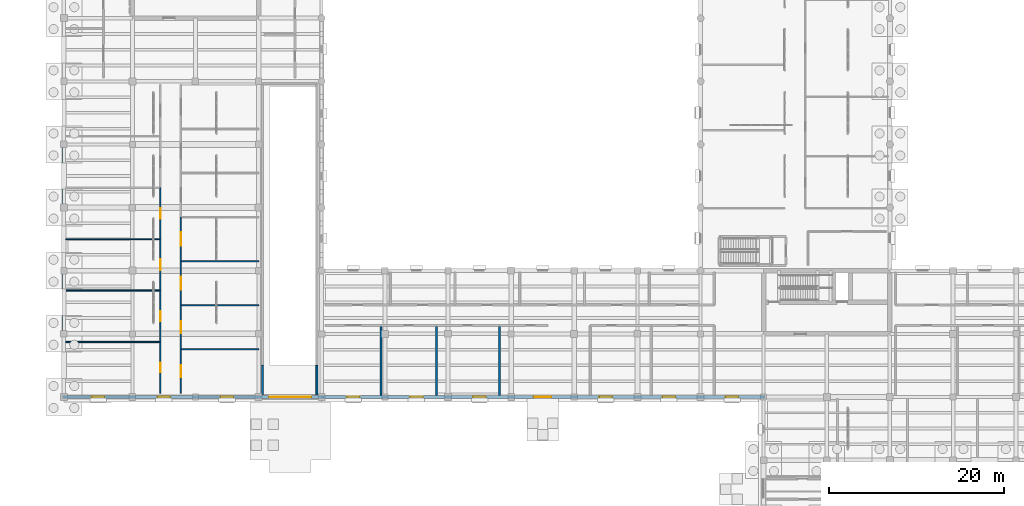
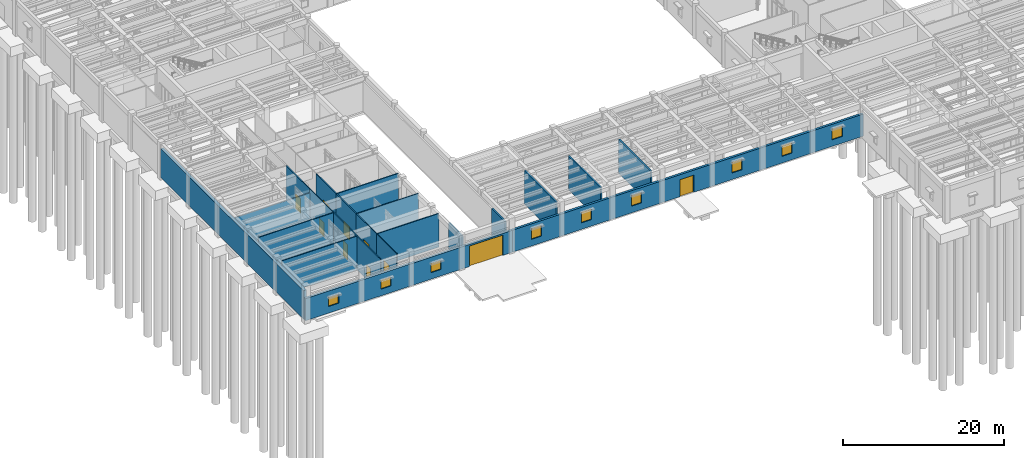
# One storey, part 67 of 100: 22 walls, 10 doors, 9 windows, 19 openings.
"""IFC4 building model written with IfcOpenShell, lengths in metres."""

from ifc_helpers import new_model, si_unit, direction, frame, frame_2d, origin, place, context, subcontext, project, spatial, rectangle, extrude, material, layer, layer_set, type_object, element, fill, save


model = new_model("IFC4")

# Units and contexts
model_context = context("Model", 3, precision=1e-05, world=origin(), true_north=direction((0.0, 1.0)))
body_context = subcontext(model_context, "Body", "Model", "MODEL_VIEW")
ifc_project = project(units=[si_unit("LENGTHUNIT", "METRE"), si_unit("AREAUNIT", "SQUARE_METRE"), si_unit("VOLUMEUNIT", "CUBIC_METRE"), si_unit("PLANEANGLEUNIT", "RADIAN"), si_unit("MASSUNIT", "GRAM", prefix="KILO")], contexts=[model_context])

# Site, building, storey
site_placement = place(None, origin())
site = spatial("IfcSite", under=ifc_project, at=site_placement, CompositionType="ELEMENT")
building_placement = place(site_placement, origin())
building = spatial("IfcBuilding", under=site, at=building_placement, Name="Mithqara Police Headquarters", CompositionType="ELEMENT")
storey_placement = place(building_placement, origin())
storey = spatial("IfcBuildingStorey", under=building, at=storey_placement, Name="L00", CompositionType="ELEMENT", Elevation=0.0)

# Wall, openings, door, windows
ifc_material_1 = material(Name="Limestone ashlar masonry, 45 MPa", Category="masonry")
ifc_layer_1 = layer(ifc_material_1, 0.320068359375, Name="Limestone ashlar masonry, 45 MPa")
ifc_layer_set_1 = layer_set([ifc_layer_1], Name="Limestone ashlar masonry, 45 MPa")
wall_type_1 = type_object("IfcWallType", Name="EXT WALL LIMESTONE320", PredefinedType="SOLIDWALL", material=ifc_layer_set_1)
wall_1_placement = place(storey_placement, frame((-0.159912109375, 21.0, 0.0), z_axis=(0.0, 0.0, 1.0), x_axis=(1.0, 0.0, 0.0)))
wall_1 = element("IfcWall", 1, at=wall_1_placement, inside=storey, type_object=wall_type_1, Name="L00 Exterior Wall 17.1", PredefinedType="SOLIDWALL", context=body_context, shape_type="SweptSolid", body=[
    extrude(rectangle(XDim=29.719970703125, YDim=0.320068359375, at=frame_2d((14.85986328125, 0.0))), origin(), (0.0, 0.0, 1.0), 3.35009765625),
])
opening_1_placement = place(wall_1_placement, frame((23.56005859375, 0.0, 0.0)))
opening_1 = element("IfcOpeningElement", 2, at=opening_1_placement, cuts=wall_1, Name="Opening VG-01", PredefinedType="OPENING", context=body_context, shape_type="SweptSolid", body=[
    extrude(rectangle(XDim=4.800048828125, YDim=3.10009765625, at=frame_2d((2.39990234375, 1.550048828125))), frame((0.0, 0.169921875, 0.0), z_axis=(0.0, -1.0, 0.0), x_axis=(1.0, 0.0, 0.0)), (0.0, 0.0, 1.0), 0.340087890625),
])
opening_2_placement = place(wall_1_placement, frame((3.3349609375, 0.0, 1.0)))
opening_2 = element("IfcOpeningElement", 3, at=opening_2_placement, cuts=wall_1, Name="Opening W-21", PredefinedType="OPENING", context=body_context, shape_type="SweptSolid", body=[
    extrude(rectangle(XDim=1.449951171875, YDim=1.39990234375, at=frame_2d((0.72509765625, 0.699951171875))), frame((0.0, 0.169921875, 0.0), z_axis=(0.0, -1.0, 0.0), x_axis=(1.0, 0.0, 0.0)), (0.0, 0.0, 1.0), 0.340087890625),
])
opening_3_placement = place(wall_1_placement, frame((10.8349609375, 0.0, 1.0)))
opening_3 = element("IfcOpeningElement", 4, at=opening_3_placement, cuts=wall_1, Name="Opening W-21", PredefinedType="OPENING", context=body_context, shape_type="SweptSolid", body=[
    extrude(rectangle(XDim=1.449951171875, YDim=1.39990234375, at=frame_2d((0.72509765625, 0.699951171875))), frame((0.0, 0.169921875, 0.0), z_axis=(0.0, -1.0, 0.0), x_axis=(1.0, 0.0, 0.0)), (0.0, 0.0, 1.0), 0.340087890625),
])
opening_4_placement = place(wall_1_placement, frame((18.034912109375, 0.0, 1.0)))
opening_4 = element("IfcOpeningElement", 5, at=opening_4_placement, cuts=wall_1, Name="Opening W-21", PredefinedType="OPENING", context=body_context, shape_type="SweptSolid", body=[
    extrude(rectangle(XDim=1.449951171875, YDim=1.39990234375, at=frame_2d((0.72509765625, 0.699951171875))), frame((0.0, 0.169921875, 0.0), z_axis=(0.0, -1.0, 0.0), x_axis=(1.0, 0.0, 0.0)), (0.0, 0.0, 1.0), 0.340087890625),
])
ifc_material_2 = material(Name="Steel S355JR", Category="steel")
door_type_1 = type_object("IfcDoorType", Name="VEH GATE RAMP 4800X3600", OperationType="ROLLINGUP", PredefinedType="GATE", material=ifc_material_2)
door_1_placement = place(opening_1_placement, frame((4.800048828125, 0.0, 0.0), z_axis=(0.0, 0.0, 1.0), x_axis=(-1.0, 0.0, 0.0)))
door_1 = element("IfcDoor", 6, at=door_1_placement, inside=storey, type_object=door_type_1, Name="VG-01 Patrol Fleet Ramp Roller Shutter Gate", OperationType="ROLLINGUP", OverallHeight=3.10009765625, OverallWidth=4.800048828125, PredefinedType="GATE", context=body_context, shape_type="SweptSolid", body=[
    extrude(rectangle(XDim=4.800048828125, YDim=3.10009765625, at=frame_2d((2.39990234375, 1.550048828125))), frame((0.0, 0.02490234375, 0.0), z_axis=(0.0, -1.0, 0.0), x_axis=(1.0, 0.0, 0.0)), (0.0, 0.0, 1.0), 0.050048828125),
])
fill(opening_1, door_1)
ifc_material_3 = material(Name="Spectrally selective double low-e glass", Category="glass")
window_type_1 = type_object("IfcWindowType", Name="WINDOW 1450X1400", PartitioningType="SINGLE_PANEL", PredefinedType="WINDOW", material=ifc_material_3)
window_1_placement = place(opening_2_placement, origin())
window_1 = element("IfcWindow", 7, at=window_1_placement, inside=storey, type_object=window_type_1, Name="L00 Deep-Set Punched Window 17.1", OverallHeight=1.39990234375, OverallWidth=1.449951171875, PartitioningType="SINGLE_PANEL", PredefinedType="WINDOW", context=body_context, shape_type="SweptSolid", body=[
    extrude(rectangle(XDim=1.449951171875, YDim=1.39990234375, at=frame_2d((0.72509765625, 0.699951171875))), frame((0.0, 0.030029296875, 0.0), z_axis=(0.0, -1.0, 0.0), x_axis=(1.0, 0.0, 0.0)), (0.0, 0.0, 1.0), 0.06005859375),
])
fill(opening_2, window_1)
window_2_placement = place(opening_3_placement, origin())
window_2 = element("IfcWindow", 8, at=window_2_placement, inside=storey, type_object=window_type_1, Name="L00 Deep-Set Punched Window 17.2", OverallHeight=1.39990234375, OverallWidth=1.449951171875, PartitioningType="SINGLE_PANEL", PredefinedType="WINDOW", context=body_context, shape_type="SweptSolid", body=[
    extrude(rectangle(XDim=1.449951171875, YDim=1.39990234375, at=frame_2d((0.72509765625, 0.699951171875))), frame((0.0, 0.030029296875, 0.0), z_axis=(0.0, -1.0, 0.0), x_axis=(1.0, 0.0, 0.0)), (0.0, 0.0, 1.0), 0.06005859375),
])
fill(opening_3, window_2)
window_3_placement = place(opening_4_placement, origin())
window_3 = element("IfcWindow", 9, at=window_3_placement, inside=storey, type_object=window_type_1, Name="L00 Deep-Set Punched Window 17.3", OverallHeight=1.39990234375, OverallWidth=1.449951171875, PartitioningType="SINGLE_PANEL", PredefinedType="WINDOW", context=body_context, shape_type="SweptSolid", body=[
    extrude(rectangle(XDim=1.449951171875, YDim=1.39990234375, at=frame_2d((0.72509765625, 0.699951171875))), frame((0.0, 0.030029296875, 0.0), z_axis=(0.0, -1.0, 0.0), x_axis=(1.0, 0.0, 0.0)), (0.0, 0.0, 1.0), 0.06005859375),
])
fill(opening_4, window_3)

wall_2_placement = place(storey_placement, frame((29.239990234375, 21.0, 0.0), z_axis=(0.0, 0.0, 1.0), x_axis=(1.0, 0.0, 0.0)))
wall_2 = element("IfcWall", 10, at=wall_2_placement, inside=storey, type_object=wall_type_1, Name="L00 Exterior Wall 18.1", PredefinedType="SOLIDWALL", context=body_context, shape_type="SweptSolid", body=[
    extrude(rectangle(XDim=50.719970703125, YDim=0.320068359375, at=frame_2d((25.35986328125, 0.0))), origin(), (0.0, 0.0, 1.0), 3.35009765625),
])
opening_5_placement = place(wall_2_placement, frame((24.360107421875, 0.0, 0.0)))
opening_5 = element("IfcOpeningElement", 11, at=opening_5_placement, cuts=wall_2, Name="Opening ED-02", PredefinedType="OPENING", context=body_context, shape_type="SweptSolid", body=[
    extrude(rectangle(XDim=2.0, YDim=2.60009765625, at=frame_2d((1.0, 1.300048828125))), frame((0.0, 0.169921875, 0.0), z_axis=(0.0, -1.0, 0.0), x_axis=(1.0, 0.0, 0.0)), (0.0, 0.0, 1.0), 0.340087890625),
])
opening_6_placement = place(wall_2_placement, frame((3.034912109375, 0.0, 1.0)))
opening_6 = element("IfcOpeningElement", 12, at=opening_6_placement, cuts=wall_2, Name="Opening W-22", PredefinedType="OPENING", context=body_context, shape_type="SweptSolid", body=[
    extrude(rectangle(XDim=1.449951171875, YDim=1.64990234375, at=frame_2d((0.72509765625, 0.824951171875))), frame((0.0, 0.169921875, 0.0), z_axis=(0.0, -1.0, 0.0), x_axis=(1.0, 0.0, 0.0)), (0.0, 0.0, 1.0), 0.340087890625),
])
opening_7_placement = place(wall_2_placement, frame((10.235107421875, 0.0, 1.0)))
opening_7 = element("IfcOpeningElement", 13, at=opening_7_placement, cuts=wall_2, Name="Opening W-22", PredefinedType="OPENING", context=body_context, shape_type="SweptSolid", body=[
    extrude(rectangle(XDim=1.449951171875, YDim=1.64990234375, at=frame_2d((0.72509765625, 0.824951171875))), frame((0.0, 0.169921875, 0.0), z_axis=(0.0, -1.0, 0.0), x_axis=(1.0, 0.0, 0.0)), (0.0, 0.0, 1.0), 0.340087890625),
])
opening_8_placement = place(wall_2_placement, frame((17.43505859375, 0.0, 1.0)))
opening_8 = element("IfcOpeningElement", 14, at=opening_8_placement, cuts=wall_2, Name="Opening W-22", PredefinedType="OPENING", context=body_context, shape_type="SweptSolid", body=[
    extrude(rectangle(XDim=1.449951171875, YDim=1.64990234375, at=frame_2d((0.72509765625, 0.824951171875))), frame((0.0, 0.169921875, 0.0), z_axis=(0.0, -1.0, 0.0), x_axis=(1.0, 0.0, 0.0)), (0.0, 0.0, 1.0), 0.340087890625),
])
opening_9_placement = place(wall_2_placement, frame((31.8349609375, 0.0, 1.0)))
opening_9 = element("IfcOpeningElement", 15, at=opening_9_placement, cuts=wall_2, Name="Opening W-22", PredefinedType="OPENING", context=body_context, shape_type="SweptSolid", body=[
    extrude(rectangle(XDim=1.449951171875, YDim=1.64990234375, at=frame_2d((0.72509765625, 0.824951171875))), frame((0.0, 0.169921875, 0.0), z_axis=(0.0, -1.0, 0.0), x_axis=(1.0, 0.0, 0.0)), (0.0, 0.0, 1.0), 0.340087890625),
])
opening_10_placement = place(wall_2_placement, frame((39.034912109375, 0.0, 1.0)))
opening_10 = element("IfcOpeningElement", 16, at=opening_10_placement, cuts=wall_2, Name="Opening W-22", PredefinedType="OPENING", context=body_context, shape_type="SweptSolid", body=[
    extrude(rectangle(XDim=1.449951171875, YDim=1.64990234375, at=frame_2d((0.72509765625, 0.824951171875))), frame((0.0, 0.169921875, 0.0), z_axis=(0.0, -1.0, 0.0), x_axis=(1.0, 0.0, 0.0)), (0.0, 0.0, 1.0), 0.340087890625),
])
opening_11_placement = place(wall_2_placement, frame((46.235107421875, 0.0, 1.0)))
opening_11 = element("IfcOpeningElement", 17, at=opening_11_placement, cuts=wall_2, Name="Opening W-22", PredefinedType="OPENING", context=body_context, shape_type="SweptSolid", body=[
    extrude(rectangle(XDim=1.449951171875, YDim=1.64990234375, at=frame_2d((0.72509765625, 0.824951171875))), frame((0.0, 0.169921875, 0.0), z_axis=(0.0, -1.0, 0.0), x_axis=(1.0, 0.0, 0.0)), (0.0, 0.0, 1.0), 0.340087890625),
])
ifc_material_4 = material(Name="Bronze anodised aluminium 6063-T6", Category="aluminium")
door_type_2 = type_object("IfcDoorType", Name="EXT DOOR MAIN 2000X2600", OperationType="DOUBLE_DOOR_SINGLE_SWING", PredefinedType="DOOR", material=ifc_material_4)
door_2_placement = place(opening_5_placement, frame((2.0, 0.0, 0.0), z_axis=(0.0, 0.0, 1.0), x_axis=(-1.0, 0.0, 0.0)))
door_2 = element("IfcDoor", 18, at=door_2_placement, inside=storey, type_object=door_type_2, Name="Ground Floor Final Exit Door 9", OperationType="DOUBLE_DOOR_SINGLE_SWING", OverallHeight=2.60009765625, OverallWidth=2.0, PredefinedType="DOOR", context=body_context, shape_type="SweptSolid", body=[
    extrude(rectangle(XDim=2.0, YDim=2.60009765625, at=frame_2d((1.0, 1.300048828125))), frame((0.0, 0.02490234375, 0.0), z_axis=(0.0, -1.0, 0.0), x_axis=(1.0, 0.0, 0.0)), (0.0, 0.0, 1.0), 0.050048828125),
])
fill(opening_5, door_2)
window_type_2 = type_object("IfcWindowType", Name="WINDOW 1450X1650", PartitioningType="SINGLE_PANEL", PredefinedType="WINDOW", material=ifc_material_3)
window_4_placement = place(opening_6_placement, origin())
window_4 = element("IfcWindow", 19, at=window_4_placement, inside=storey, type_object=window_type_2, Name="L00 Deep-Set Punched Window 18.1", OverallHeight=1.64990234375, OverallWidth=1.449951171875, PartitioningType="SINGLE_PANEL", PredefinedType="WINDOW", context=body_context, shape_type="SweptSolid", body=[
    extrude(rectangle(XDim=1.449951171875, YDim=1.64990234375, at=frame_2d((0.72509765625, 0.824951171875))), frame((0.0, 0.030029296875, 0.0), z_axis=(0.0, -1.0, 0.0), x_axis=(1.0, 0.0, 0.0)), (0.0, 0.0, 1.0), 0.06005859375),
])
fill(opening_6, window_4)
window_5_placement = place(opening_7_placement, origin())
window_5 = element("IfcWindow", 20, at=window_5_placement, inside=storey, type_object=window_type_2, Name="L00 Deep-Set Punched Window 18.2", OverallHeight=1.64990234375, OverallWidth=1.449951171875, PartitioningType="SINGLE_PANEL", PredefinedType="WINDOW", context=body_context, shape_type="SweptSolid", body=[
    extrude(rectangle(XDim=1.449951171875, YDim=1.64990234375, at=frame_2d((0.72509765625, 0.824951171875))), frame((0.0, 0.030029296875, 0.0), z_axis=(0.0, -1.0, 0.0), x_axis=(1.0, 0.0, 0.0)), (0.0, 0.0, 1.0), 0.06005859375),
])
fill(opening_7, window_5)
window_6_placement = place(opening_8_placement, origin())
window_6 = element("IfcWindow", 21, at=window_6_placement, inside=storey, type_object=window_type_2, Name="L00 Deep-Set Punched Window 18.3", OverallHeight=1.64990234375, OverallWidth=1.449951171875, PartitioningType="SINGLE_PANEL", PredefinedType="WINDOW", context=body_context, shape_type="SweptSolid", body=[
    extrude(rectangle(XDim=1.449951171875, YDim=1.64990234375, at=frame_2d((0.72509765625, 0.824951171875))), frame((0.0, 0.030029296875, 0.0), z_axis=(0.0, -1.0, 0.0), x_axis=(1.0, 0.0, 0.0)), (0.0, 0.0, 1.0), 0.06005859375),
])
fill(opening_8, window_6)
window_7_placement = place(opening_9_placement, origin())
window_7 = element("IfcWindow", 22, at=window_7_placement, inside=storey, type_object=window_type_2, Name="L00 Deep-Set Punched Window 18.5", OverallHeight=1.64990234375, OverallWidth=1.449951171875, PartitioningType="SINGLE_PANEL", PredefinedType="WINDOW", context=body_context, shape_type="SweptSolid", body=[
    extrude(rectangle(XDim=1.449951171875, YDim=1.64990234375, at=frame_2d((0.72509765625, 0.824951171875))), frame((0.0, 0.030029296875, 0.0), z_axis=(0.0, -1.0, 0.0), x_axis=(1.0, 0.0, 0.0)), (0.0, 0.0, 1.0), 0.06005859375),
])
fill(opening_9, window_7)
window_8_placement = place(opening_10_placement, origin())
window_8 = element("IfcWindow", 23, at=window_8_placement, inside=storey, type_object=window_type_2, Name="L00 Deep-Set Punched Window 18.6", OverallHeight=1.64990234375, OverallWidth=1.449951171875, PartitioningType="SINGLE_PANEL", PredefinedType="WINDOW", context=body_context, shape_type="SweptSolid", body=[
    extrude(rectangle(XDim=1.449951171875, YDim=1.64990234375, at=frame_2d((0.72509765625, 0.824951171875))), frame((0.0, 0.030029296875, 0.0), z_axis=(0.0, -1.0, 0.0), x_axis=(1.0, 0.0, 0.0)), (0.0, 0.0, 1.0), 0.06005859375),
])
fill(opening_10, window_8)
window_9_placement = place(opening_11_placement, origin())
window_9 = element("IfcWindow", 24, at=window_9_placement, inside=storey, type_object=window_type_2, Name="L00 Deep-Set Punched Window 18.7", OverallHeight=1.64990234375, OverallWidth=1.449951171875, PartitioningType="SINGLE_PANEL", PredefinedType="WINDOW", context=body_context, shape_type="SweptSolid", body=[
    extrude(rectangle(XDim=1.449951171875, YDim=1.64990234375, at=frame_2d((0.72509765625, 0.824951171875))), frame((0.0, 0.030029296875, 0.0), z_axis=(0.0, -1.0, 0.0), x_axis=(1.0, 0.0, 0.0)), (0.0, 0.0, 1.0), 0.06005859375),
])
fill(opening_11, window_9)

# Wall, opening, door
ifc_material_5 = material(Name="Gypsum acoustic stud partition", Category="gypsum")
ifc_layer_2 = layer(ifc_material_5, 0.139892578125, Name="Gypsum acoustic stud partition")
ifc_layer_set_2 = layer_set([ifc_layer_2], Name="Gypsum acoustic stud partition")
wall_type_2 = type_object("IfcWallType", Name="PART WALL 140", PredefinedType="PARTITIONING", material=ifc_layer_set_2)
wall_3_placement = place(storey_placement, frame((10.989990234375, 21.419921875, 0.0), z_axis=(0.0, 0.0, 1.0), x_axis=(0.0, 1.0, 0.0)))
wall_3 = element("IfcWall", 25, at=wall_3_placement, inside=storey, type_object=wall_type_2, Name="L00 Corridor Wall Tactical Equipment Room", PredefinedType="PARTITIONING", context=body_context, shape_type="SweptSolid", body=[
    extrude(rectangle(XDim=5.860107421875, YDim=0.139892578125, at=frame_2d((2.93017578125, 0.0))), origin(), (0.0, 0.0, 1.0), 5.1201171875),
])
opening_12_placement = place(wall_3_placement, frame((2.3798828125, 0.0, 0.0)))
opening_12 = element("IfcOpeningElement", 26, at=opening_12_placement, cuts=wall_3, Name="Opening D-11", PredefinedType="OPENING", context=body_context, shape_type="SweptSolid", body=[
    extrude(rectangle(XDim=1.10009765625, YDim=2.219970703125, at=frame_2d((0.550048828125, 1.10986328125))), frame((0.0, 0.080078125, 0.0), z_axis=(0.0, -1.0, 0.0), x_axis=(1.0, 0.0, 0.0)), (0.0, 0.0, 1.0), 0.159912109375),
])
ifc_material_6 = material(Name="Acoustic solid-core timber leaf", Category="wood")
door_type_3 = type_object("IfcDoorType", Name="INT DOOR 1100X2220", OperationType="NOTDEFINED", PredefinedType="DOOR", material=ifc_material_6)
door_3_placement = place(opening_12_placement, frame((1.10009765625, 0.0, 0.0), z_axis=(0.0, 0.0, 1.0), x_axis=(-1.0, 0.0, 0.0)))
door_3 = element("IfcDoor", 27, at=door_3_placement, inside=storey, type_object=door_type_3, Name="Tactical Equipment Room Entry Door", OperationType="SINGLE_SWING_RIGHT", OverallHeight=2.219970703125, OverallWidth=1.10009765625, PredefinedType="DOOR", context=body_context, shape_type="SweptSolid", body=[
    extrude(rectangle(XDim=1.10009765625, YDim=2.219970703125, at=frame_2d((0.550048828125, 1.10986328125))), frame((0.0, 0.02490234375, 0.0), z_axis=(0.0, -1.0, 0.0), x_axis=(1.0, 0.0, 0.0)), (0.0, 0.0, 1.0), 0.050048828125),
])
fill(opening_12, door_3)

# Wall
wall_4_placement = place(storey_placement, frame((0.179931640625, 27.280029296875, 0.0), z_axis=(0.0, 0.0, 1.0), x_axis=(1.0, 0.0, 0.0)))
element("IfcWall", 28, at=wall_4_placement, inside=storey, type_object=wall_type_2, Name="L00 Room Partition Tactical Equipment Room", PredefinedType="PARTITIONING", context=body_context, shape_type="SweptSolid", body=[
    extrude(rectangle(XDim=10.81005859375, YDim=0.139892578125, at=frame_2d((5.405029296875, 0.0))), origin(), (0.0, 0.0, 1.0), 5.1201171875),
])

# Wall, opening, door
wall_5_placement = place(storey_placement, frame((10.989990234375, 27.280029296875, 0.0), z_axis=(0.0, 0.0, 1.0), x_axis=(0.0, 1.0, 0.0)))
wall_5 = element("IfcWall", 29, at=wall_5_placement, inside=storey, type_object=wall_type_2, Name="L00 Corridor Wall K9 Handler Readiness Room", PredefinedType="PARTITIONING", context=body_context, shape_type="SweptSolid", body=[
    extrude(rectangle(XDim=5.85986328125, YDim=0.139892578125, at=frame_2d((2.929931640625, 0.0))), origin(), (0.0, 0.0, 1.0), 5.1201171875),
])
opening_13_placement = place(wall_5_placement, frame((2.3798828125, 0.0, 0.0)))
opening_13 = element("IfcOpeningElement", 30, at=opening_13_placement, cuts=wall_5, Name="Opening D-12", PredefinedType="OPENING", context=body_context, shape_type="SweptSolid", body=[
    extrude(rectangle(XDim=1.10009765625, YDim=2.35009765625, at=frame_2d((0.550048828125, 1.175048828125))), frame((0.0, 0.080078125, 0.0), z_axis=(0.0, -1.0, 0.0), x_axis=(1.0, 0.0, 0.0)), (0.0, 0.0, 1.0), 0.159912109375),
])
door_type_4 = type_object("IfcDoorType", Name="INT DOOR 1100X2350", OperationType="NOTDEFINED", PredefinedType="DOOR", material=ifc_material_6)
door_4_placement = place(opening_13_placement, frame((1.10009765625, 0.0, 0.0), z_axis=(0.0, 0.0, 1.0), x_axis=(-1.0, 0.0, 0.0)))
door_4 = element("IfcDoor", 31, at=door_4_placement, inside=storey, type_object=door_type_4, Name="K9 Handler Readiness Room Entry Door", OperationType="SINGLE_SWING_LEFT", OverallHeight=2.35009765625, OverallWidth=1.10009765625, PredefinedType="DOOR", context=body_context, shape_type="SweptSolid", body=[
    extrude(rectangle(XDim=1.10009765625, YDim=2.35009765625, at=frame_2d((0.550048828125, 1.175048828125))), frame((0.0, 0.02490234375, 0.0), z_axis=(0.0, -1.0, 0.0), x_axis=(1.0, 0.0, 0.0)), (0.0, 0.0, 1.0), 0.050048828125),
])
fill(opening_13, door_4)

# Wall
wall_6_placement = place(storey_placement, frame((0.179931640625, 33.139892578125, 0.0), z_axis=(0.0, 0.0, 1.0), x_axis=(1.0, 0.0, 0.0)))
element("IfcWall", 32, at=wall_6_placement, inside=storey, type_object=wall_type_2, Name="L00 Room Partition K9 Handler Readiness Room", PredefinedType="PARTITIONING", context=body_context, shape_type="SweptSolid", body=[
    extrude(rectangle(XDim=10.81005859375, YDim=0.139892578125, at=frame_2d((5.405029296875, 0.0))), origin(), (0.0, 0.0, 1.0), 5.1201171875),
])

# Wall, opening, door
wall_7_placement = place(storey_placement, frame((10.989990234375, 33.139892578125, 0.0), z_axis=(0.0, 0.0, 1.0), x_axis=(0.0, 1.0, 0.0)))
wall_7 = element("IfcWall", 33, at=wall_7_placement, inside=storey, type_object=wall_type_2, Name="L00 Corridor Wall First Aid Treatment Room", PredefinedType="PARTITIONING", context=body_context, shape_type="SweptSolid", body=[
    extrude(rectangle(XDim=5.860107421875, YDim=0.139892578125, at=frame_2d((2.93017578125, 0.0))), origin(), (0.0, 0.0, 1.0), 5.1201171875),
])
opening_14_placement = place(wall_7_placement, frame((2.320068359375, 0.0, 0.0)))
opening_14 = element("IfcOpeningElement", 34, at=opening_14_placement, cuts=wall_7, Name="Opening D-13", PredefinedType="OPENING", context=body_context, shape_type="SweptSolid", body=[
    extrude(rectangle(XDim=1.219970703125, YDim=2.10009765625, at=frame_2d((0.60986328125, 1.050048828125))), frame((0.0, 0.080078125, 0.0), z_axis=(0.0, -1.0, 0.0), x_axis=(1.0, 0.0, 0.0)), (0.0, 0.0, 1.0), 0.159912109375),
])
door_type_5 = type_object("IfcDoorType", Name="INT DOOR 1220X2100", OperationType="NOTDEFINED", PredefinedType="DOOR", material=ifc_material_6)
door_5_placement = place(opening_14_placement, frame((1.219970703125, 0.0, 0.0), z_axis=(0.0, 0.0, 1.0), x_axis=(-1.0, 0.0, 0.0)))
door_5 = element("IfcDoor", 35, at=door_5_placement, inside=storey, type_object=door_type_5, Name="First Aid Treatment Room Entry Door", OperationType="SINGLE_SWING_RIGHT", OverallHeight=2.10009765625, OverallWidth=1.219970703125, PredefinedType="DOOR", context=body_context, shape_type="SweptSolid", body=[
    extrude(rectangle(XDim=1.219970703125, YDim=2.10009765625, at=frame_2d((0.60986328125, 1.050048828125))), frame((0.0, 0.02490234375, 0.0), z_axis=(0.0, -1.0, 0.0), x_axis=(1.0, 0.0, 0.0)), (0.0, 0.0, 1.0), 0.050048828125),
])
fill(opening_14, door_5)

# Wall
wall_8_placement = place(storey_placement, frame((0.179931640625, 39.0, 0.0), z_axis=(0.0, 0.0, 1.0), x_axis=(1.0, 0.0, 0.0)))
element("IfcWall", 36, at=wall_8_placement, inside=storey, type_object=wall_type_2, Name="L00 Room Partition First Aid Treatment Room", PredefinedType="PARTITIONING", context=body_context, shape_type="SweptSolid", body=[
    extrude(rectangle(XDim=10.81005859375, YDim=0.139892578125, at=frame_2d((5.405029296875, 0.0))), origin(), (0.0, 0.0, 1.0), 4.570068359375),
])

# Wall, opening, door
wall_9_placement = place(storey_placement, frame((10.989990234375, 39.0, 0.0), z_axis=(0.0, 0.0, 1.0), x_axis=(0.0, 1.0, 0.0)))
wall_9 = element("IfcWall", 37, at=wall_9_placement, inside=storey, type_object=wall_type_2, Name="L00 Corridor Wall Tactical Equipment Room", PredefinedType="PARTITIONING", context=body_context, shape_type="SweptSolid", body=[
    extrude(rectangle(XDim=5.860107421875, YDim=0.139892578125, at=frame_2d((2.93017578125, 0.0))), origin(), (0.0, 0.0, 1.0), 5.1201171875),
])
opening_15_placement = place(wall_9_placement, frame((2.320068359375, 0.0, 0.0)))
opening_15 = element("IfcOpeningElement", 38, at=opening_15_placement, cuts=wall_9, Name="Opening D-14", PredefinedType="OPENING", context=body_context, shape_type="SweptSolid", body=[
    extrude(rectangle(XDim=1.219970703125, YDim=2.219970703125, at=frame_2d((0.60986328125, 1.10986328125))), frame((0.0, 0.080078125, 0.0), z_axis=(0.0, -1.0, 0.0), x_axis=(1.0, 0.0, 0.0)), (0.0, 0.0, 1.0), 0.159912109375),
])
door_type_6 = type_object("IfcDoorType", Name="INT DOOR 1220X2220", OperationType="NOTDEFINED", PredefinedType="DOOR", material=ifc_material_6)
door_6_placement = place(opening_15_placement, frame((1.219970703125, 0.0, 0.0), z_axis=(0.0, 0.0, 1.0), x_axis=(-1.0, 0.0, 0.0)))
door_6 = element("IfcDoor", 39, at=door_6_placement, inside=storey, type_object=door_type_6, Name="Tactical Equipment Room Entry Door", OperationType="SINGLE_SWING_LEFT", OverallHeight=2.219970703125, OverallWidth=1.219970703125, PredefinedType="DOOR", context=body_context, shape_type="SweptSolid", body=[
    extrude(rectangle(XDim=1.219970703125, YDim=2.219970703125, at=frame_2d((0.60986328125, 1.10986328125))), frame((0.0, 0.02490234375, 0.0), z_axis=(0.0, -1.0, 0.0), x_axis=(1.0, 0.0, 0.0)), (0.0, 0.0, 1.0), 0.050048828125),
])
fill(opening_15, door_6)

wall_10_placement = place(storey_placement, frame((13.330078125, 21.419921875, 0.0), z_axis=(0.0, 0.0, 1.0), x_axis=(0.0, 1.0, 0.0)))
wall_10 = element("IfcWall", 40, at=wall_10_placement, inside=storey, type_object=wall_type_2, Name="L00 Corridor Wall Tactical Equipment Room", PredefinedType="PARTITIONING", context=body_context, shape_type="SweptSolid", body=[
    extrude(rectangle(XDim=5.023193359375, YDim=0.139892578125, at=frame_2d((2.51171875, 0.0))), origin(), (0.0, 0.0, 1.0), 5.1201171875),
])
opening_16_placement = place(wall_10_placement, frame((1.83154296875, 0.0, 0.0)))
opening_16 = element("IfcOpeningElement", 41, at=opening_16_placement, cuts=wall_10, Name="Opening D-17", PredefinedType="OPENING", context=body_context, shape_type="SweptSolid", body=[
    extrude(rectangle(XDim=1.360107421875, YDim=2.219970703125, at=frame_2d((0.68017578125, 1.10986328125))), frame((0.0, 0.080078125, 0.0), z_axis=(0.0, -1.0, 0.0), x_axis=(1.0, 0.0, 0.0)), (0.0, 0.0, 1.0), 0.159912109375),
])
door_type_7 = type_object("IfcDoorType", Name="INT DOOR 1360X2220", OperationType="NOTDEFINED", PredefinedType="DOOR", material=ifc_material_4)
door_7_placement = place(opening_16_placement, origin())
door_7 = element("IfcDoor", 42, at=door_7_placement, inside=storey, type_object=door_type_7, Name="Tactical Equipment Room Entry Door", OperationType="SINGLE_SWING_RIGHT", OverallHeight=2.219970703125, OverallWidth=1.360107421875, PredefinedType="DOOR", context=body_context, shape_type="SweptSolid", body=[
    extrude(rectangle(XDim=1.360107421875, YDim=2.219970703125, at=frame_2d((0.68017578125, 1.10986328125))), frame((0.0, 0.02490234375, 0.0), z_axis=(0.0, -1.0, 0.0), x_axis=(1.0, 0.0, 0.0)), (0.0, 0.0, 1.0), 0.050048828125),
])
fill(opening_16, door_7)

# Wall
wall_11_placement = place(storey_placement, frame((13.330078125, 26.443115234375, 0.0), z_axis=(0.0, 0.0, 1.0), x_axis=(1.0, 0.0, 0.0)))
element("IfcWall", 43, at=wall_11_placement, inside=storey, type_object=wall_type_2, Name="L00 Room Partition Tactical Equipment Room", PredefinedType="PARTITIONING", context=body_context, shape_type="SweptSolid", body=[
    extrude(rectangle(XDim=8.869873046875, YDim=0.139892578125, at=frame_2d((4.43505859375, 0.0))), origin(), (0.0, 0.0, 1.0), 5.1201171875),
])

# Wall, opening, door
wall_12_placement = place(storey_placement, frame((13.330078125, 26.443115234375, 0.0), z_axis=(0.0, 0.0, 1.0), x_axis=(0.0, 1.0, 0.0)))
wall_12 = element("IfcWall", 44, at=wall_12_placement, inside=storey, type_object=wall_type_2, Name="L00 Corridor Wall K9 Handler Readiness Room", PredefinedType="PARTITIONING", context=body_context, shape_type="SweptSolid", body=[
    extrude(rectangle(XDim=5.02294921875, YDim=0.139892578125, at=frame_2d((2.511474609375, 0.0))), origin(), (0.0, 0.0, 1.0), 5.1201171875),
])
opening_17_placement = place(wall_12_placement, frame((1.83154296875, 0.0, 0.0)))
opening_17 = element("IfcOpeningElement", 45, at=opening_17_placement, cuts=wall_12, Name="Opening D-18", PredefinedType="OPENING", context=body_context, shape_type="SweptSolid", body=[
    extrude(rectangle(XDim=1.360107421875, YDim=2.35009765625, at=frame_2d((0.68017578125, 1.175048828125))), frame((0.0, 0.080078125, 0.0), z_axis=(0.0, -1.0, 0.0), x_axis=(1.0, 0.0, 0.0)), (0.0, 0.0, 1.0), 0.159912109375),
])
door_type_8 = type_object("IfcDoorType", Name="INT DOOR 1360X2350", OperationType="NOTDEFINED", PredefinedType="DOOR", material=ifc_material_4)
door_8_placement = place(opening_17_placement, origin())
door_8 = element("IfcDoor", 46, at=door_8_placement, inside=storey, type_object=door_type_8, Name="K9 Handler Readiness Room Entry Door", OperationType="SINGLE_SWING_LEFT", OverallHeight=2.35009765625, OverallWidth=1.360107421875, PredefinedType="DOOR", context=body_context, shape_type="SweptSolid", body=[
    extrude(rectangle(XDim=1.360107421875, YDim=2.35009765625, at=frame_2d((0.68017578125, 1.175048828125))), frame((0.0, 0.02490234375, 0.0), z_axis=(0.0, -1.0, 0.0), x_axis=(1.0, 0.0, 0.0)), (0.0, 0.0, 1.0), 0.050048828125),
])
fill(opening_17, door_8)

# Wall
wall_13_placement = place(storey_placement, frame((13.330078125, 31.466064453125, 0.0), z_axis=(0.0, 0.0, 1.0), x_axis=(1.0, 0.0, 0.0)))
element("IfcWall", 47, at=wall_13_placement, inside=storey, type_object=wall_type_2, Name="L00 Room Partition K9 Handler Readiness Room", PredefinedType="PARTITIONING", context=body_context, shape_type="SweptSolid", body=[
    extrude(rectangle(XDim=8.869873046875, YDim=0.139892578125, at=frame_2d((4.43505859375, 0.0))), origin(), (0.0, 0.0, 1.0), 5.1201171875),
])

# Wall, opening, door
wall_14_placement = place(storey_placement, frame((13.330078125, 31.466064453125, 0.0), z_axis=(0.0, 0.0, 1.0), x_axis=(0.0, 1.0, 0.0)))
wall_14 = element("IfcWall", 48, at=wall_14_placement, inside=storey, type_object=wall_type_2, Name="L00 Corridor Wall First Aid Treatment Room", PredefinedType="PARTITIONING", context=body_context, shape_type="SweptSolid", body=[
    extrude(rectangle(XDim=5.02294921875, YDim=0.139892578125, at=frame_2d((2.511474609375, 0.0))), origin(), (0.0, 0.0, 1.0), 5.1201171875),
])
opening_18_placement = place(wall_14_placement, frame((1.75146484375, 0.0, 0.0)))
opening_18 = element("IfcOpeningElement", 49, at=opening_18_placement, cuts=wall_14, Name="Opening D-19", PredefinedType="OPENING", context=body_context, shape_type="SweptSolid", body=[
    extrude(rectangle(XDim=1.52001953125, YDim=2.10009765625, at=frame_2d((0.760009765625, 1.050048828125))), frame((0.0, 0.080078125, 0.0), z_axis=(0.0, -1.0, 0.0), x_axis=(1.0, 0.0, 0.0)), (0.0, 0.0, 1.0), 0.159912109375),
])
door_type_9 = type_object("IfcDoorType", Name="INT DOOR 1520X2100", OperationType="NOTDEFINED", PredefinedType="DOOR", material=ifc_material_4)
door_9_placement = place(opening_18_placement, origin())
door_9 = element("IfcDoor", 50, at=door_9_placement, inside=storey, type_object=door_type_9, Name="First Aid Treatment Room Entry Door", OperationType="DOUBLE_DOOR_SINGLE_SWING", OverallHeight=2.10009765625, OverallWidth=1.52001953125, PredefinedType="DOOR", context=body_context, shape_type="SweptSolid", body=[
    extrude(rectangle(XDim=1.52001953125, YDim=2.10009765625, at=frame_2d((0.760009765625, 1.050048828125))), frame((0.0, 0.02490234375, 0.0), z_axis=(0.0, -1.0, 0.0), x_axis=(1.0, 0.0, 0.0)), (0.0, 0.0, 1.0), 0.050048828125),
])
fill(opening_18, door_9)

# Wall
wall_15_placement = place(storey_placement, frame((13.330078125, 36.489013671875, 0.0), z_axis=(0.0, 0.0, 1.0), x_axis=(1.0, 0.0, 0.0)))
element("IfcWall", 51, at=wall_15_placement, inside=storey, type_object=wall_type_2, Name="L00 Room Partition First Aid Treatment Room", PredefinedType="PARTITIONING", context=body_context, shape_type="SweptSolid", body=[
    extrude(rectangle(XDim=8.869873046875, YDim=0.139892578125, at=frame_2d((4.43505859375, 0.0))), origin(), (0.0, 0.0, 1.0), 5.1201171875),
])

# Wall, opening, door
wall_16_placement = place(storey_placement, frame((13.330078125, 36.489013671875, 0.0), z_axis=(0.0, 0.0, 1.0), x_axis=(0.0, 1.0, 0.0)))
wall_16 = element("IfcWall", 52, at=wall_16_placement, inside=storey, type_object=wall_type_2, Name="L00 Corridor Wall Tactical Equipment Room", PredefinedType="PARTITIONING", context=body_context, shape_type="SweptSolid", body=[
    extrude(rectangle(XDim=5.02197265625, YDim=0.139892578125, at=frame_2d((2.510986328125, 0.0))), origin(), (0.0, 0.0, 1.0), 5.1201171875),
])
opening_19_placement = place(wall_16_placement, frame((1.7509765625, 0.0, 0.0)))
opening_19 = element("IfcOpeningElement", 53, at=opening_19_placement, cuts=wall_16, Name="Opening D-20", PredefinedType="OPENING", context=body_context, shape_type="SweptSolid", body=[
    extrude(rectangle(XDim=1.52001953125, YDim=2.219970703125, at=frame_2d((0.760009765625, 1.10986328125))), frame((0.0, 0.080078125, 0.0), z_axis=(0.0, -1.0, 0.0), x_axis=(1.0, 0.0, 0.0)), (0.0, 0.0, 1.0), 0.159912109375),
])
door_type_10 = type_object("IfcDoorType", Name="INT DOOR 1520X2220", OperationType="NOTDEFINED", PredefinedType="DOOR", material=ifc_material_4)
door_10_placement = place(opening_19_placement, origin())
door_10 = element("IfcDoor", 54, at=door_10_placement, inside=storey, type_object=door_type_10, Name="Tactical Equipment Room Entry Door", OperationType="DOUBLE_DOOR_SINGLE_SWING", OverallHeight=2.219970703125, OverallWidth=1.52001953125, PredefinedType="DOOR", context=body_context, shape_type="SweptSolid", body=[
    extrude(rectangle(XDim=1.52001953125, YDim=2.219970703125, at=frame_2d((0.760009765625, 1.10986328125))), frame((0.0, 0.02490234375, 0.0), z_axis=(0.0, -1.0, 0.0), x_axis=(1.0, 0.0, 0.0)), (0.0, 0.0, 1.0), 0.050048828125),
])
fill(opening_19, door_10)

# Walls
ifc_material_7 = material(Name="Concrete C40/50", Category="concrete")
ifc_layer_3 = layer(ifc_material_7, 0.2099609375, Name="Concrete C40/50")
ifc_layer_set_3 = layer_set([ifc_layer_3], Name="Concrete C40/50")
wall_type_3 = type_object("IfcWallType", Name="PART WALL 210", PredefinedType="PARTITIONING", material=ifc_layer_set_3)
for number, where, z_axis, x_axis, name in (
    (55, (22.64990234375, 21.25, 0.0), (0.0, 0.0, 1.0), (0.0, 1.0, 0.0), "L00 Vehicle Ramp Vestibule Wall W"),
    (56, (28.85009765625, 21.25, 0.0), (0.0, 0.0, 1.0), (0.0, 1.0, 0.0), "L00 Vehicle Ramp Vestibule Wall E"),
):
    element("IfcWall", number, at=place(storey_placement, frame(where, z_axis=z_axis, x_axis=x_axis)), inside=storey, type_object=wall_type_3, Name=name, PredefinedType="PARTITIONING", context=body_context, shape_type="SweptSolid", body=[
        extrude(rectangle(XDim=3.35009765625, YDim=0.2099609375, at=frame_2d((1.675048828125, 0.0))), origin(), (0.0, 0.0, 1.0), 4.64990234375),
    ])
for number, where, z_axis, x_axis, name in (
    (57, (36.153076171875, 21.179931640625, 0.0), (0.0, 0.0, 1.0), (0.0, 1.0, 0.0), "L00 Room Partition Lost and Found Counter"),
    (58, (42.486083984375, 21.179931640625, 0.0), (0.0, 0.0, 1.0), (0.0, 1.0, 0.0), "L00 Room Partition Victim Support Consultation Room"),
    (59, (49.6689453125, 21.179931640625, 0.0), (0.0, 0.0, 1.0), (0.0, 1.0, 0.0), "L00 Room Partition Witness Reception Room"),
):
    element("IfcWall", number, at=place(storey_placement, frame(where, z_axis=z_axis, x_axis=x_axis)), inside=storey, type_object=wall_type_3, Name=name, PredefinedType="PARTITIONING", context=body_context, shape_type="SweptSolid", body=[
        extrude(rectangle(XDim=7.969970703125, YDim=0.2099609375, at=frame_2d((3.98486328125, 0.0))), origin(), (0.0, 0.0, 1.0), 5.1201171875),
    ])
ifc_layer_4 = layer(ifc_material_7, 0.39990234375, Name="Concrete C40/50")
ifc_layer_set_4 = layer_set([ifc_layer_4], Name="Concrete C40/50")
wall_type_4 = type_object("IfcWallType", Name="PARTY WALL 400", PredefinedType="SOLIDWALL", material=ifc_layer_set_4)
wall_17_placement = place(storey_placement, frame((0.0, 56.800048828125, 0.0), z_axis=(0.0, 0.0, 1.0), x_axis=(0.0, -1.0, 0.0)))
element("IfcWall", 60, at=wall_17_placement, inside=storey, type_object=wall_type_4, Name="L00 Exterior Wall 16.1", PredefinedType="SOLIDWALL", context=body_context, shape_type="SweptSolid", body=[
    extrude(rectangle(XDim=35.60009765625, YDim=0.39990234375, at=frame_2d((17.800048828125, 0.0))), origin(), (0.0, 0.0, 1.0), 4.3701171875),
])

save(model, "model.ifc")
